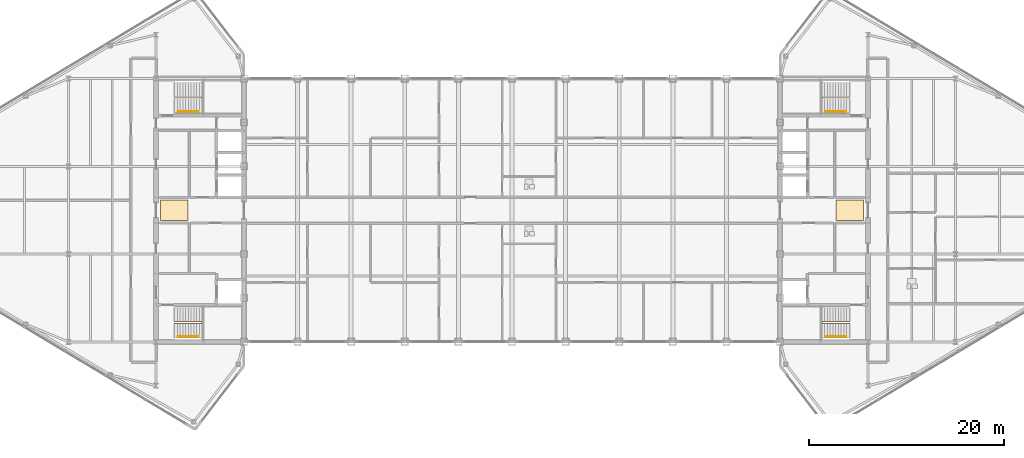
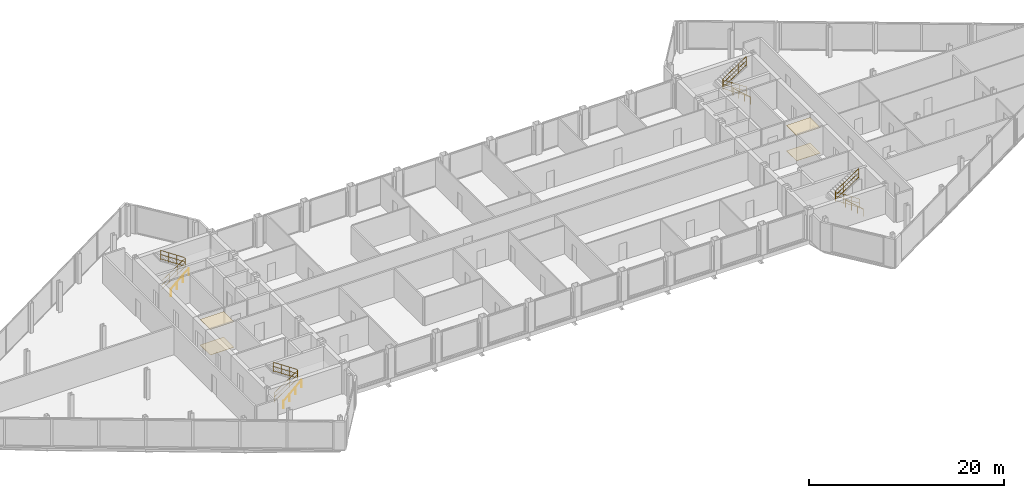
# One storey, part 27 of 28: 8 railings, 4 coverings.
"""IFC4 building model written with IfcOpenShell, lengths in metres."""

from ifc_helpers import new_model, si_unit, direction, frame, origin, origin_2d, place, context, subcontext, project, spatial, polyline, circle, outline, extrude, material, layer, layer_set, type_object, element, save


model = new_model("IFC4")

# Units and contexts
model_context = context("Model", 3, precision=1e-05, world=origin(), true_north=direction((0.0, 1.0)))
body_context = subcontext(model_context, "Body", "Model", "MODEL_VIEW")
ifc_project = project(units=[si_unit("LENGTHUNIT", "METRE"), si_unit("AREAUNIT", "SQUARE_METRE"), si_unit("VOLUMEUNIT", "CUBIC_METRE"), si_unit("PLANEANGLEUNIT", "RADIAN"), si_unit("MASSUNIT", "GRAM", prefix="KILO")], contexts=[model_context])

# Site, building, storey
site_placement = place(None, origin())
site = spatial("IfcSite", under=ifc_project, at=site_placement, CompositionType="ELEMENT")
building_placement = place(site_placement, origin())
building = spatial("IfcBuilding", under=site, at=building_placement, Name="Seokmaru Belvedere", CompositionType="ELEMENT")
storey_placement = place(building_placement, frame((0.0, 0.0, 261.89990234375)))
storey = spatial("IfcBuildingStorey", under=building, at=storey_placement, Name="L69", CompositionType="ELEMENT", Elevation=261.89990234375)

# Coverings
ifc_material_1 = material(Name="Engineered White Oak Timber", Category="wood")
ifc_layer_1 = layer(ifc_material_1, 0.02197265625)
ifc_layer_set_1 = layer_set([ifc_layer_1], Name="Engineered White Oak Timber")
covering_type_1 = type_object("IfcCoveringType", Name="Engineered Oak Residence Floor Finish 22", PredefinedType="FLOORING", material=ifc_layer_set_1)
covering_1_placement = place(storey_placement, origin())
element("IfcCovering", 1, at=covering_1_placement, inside=storey, type_object=covering_type_1, Name="L69 W Foyer Floor Finish", PredefinedType="FLOORING", context=body_context, shape_type="SweptSolid", body=[
    extrude(outline(polyline([(-36.050048828125, -1.050048828125), (-33.25, -1.050048828125), (-33.25, 1.050048828125), (-36.050048828125, 1.050048828125), (-36.050048828125, -1.050048828125)])), origin(), (0.0, 0.0, 1.0), 0.022216796875),
])
covering_2_placement = place(storey_placement, origin())
element("IfcCovering", 2, at=covering_2_placement, inside=storey, type_object=covering_type_1, Name="L69 E Foyer Floor Finish", PredefinedType="FLOORING", context=body_context, shape_type="SweptSolid", body=[
    extrude(outline(polyline([(33.25, -1.050048828125), (36.050048828125, -1.050048828125), (36.050048828125, 1.050048828125), (33.25, 1.050048828125), (33.25, -1.050048828125)])), origin(), (0.0, 0.0, 1.0), 0.022216796875),
])
ifc_material_2 = material(Name="Fire-Rated Gypsum Shaftwall")
ifc_layer_2 = layer(ifc_material_2, 0.02490234375)
ifc_layer_set_2 = layer_set([ifc_layer_2], Name="Fire-Rated Gypsum Shaftwall")
covering_type_2 = type_object("IfcCoveringType", Name="Perforated Acoustic Gypsum Suspended Ceiling 25", PredefinedType="CEILING", material=ifc_layer_set_2)
covering_3_placement = place(storey_placement, frame((0.0, 0.0, 3.18017578125)))
element("IfcCovering", 3, at=covering_3_placement, inside=storey, type_object=covering_type_2, Name="L69 W Lift Foyer Acoustic Ceiling", PredefinedType="CEILING", context=body_context, shape_type="SweptSolid", body=[
    extrude(outline(polyline([(-36.050048828125, -1.050048828125), (-33.25, -1.050048828125), (-33.25, 1.050048828125), (-36.050048828125, 1.050048828125), (-36.050048828125, -1.050048828125)])), origin(), (0.0, 0.0, 1.0), 0.02490234375),
])
covering_4_placement = place(storey_placement, frame((0.0, 0.0, 3.18017578125)))
element("IfcCovering", 4, at=covering_4_placement, inside=storey, type_object=covering_type_2, Name="L69 E Lift Foyer Acoustic Ceiling", PredefinedType="CEILING", context=body_context, shape_type="SweptSolid", body=[
    extrude(outline(polyline([(33.25, -1.050048828125), (36.050048828125, -1.050048828125), (36.050048828125, 1.050048828125), (33.25, 1.050048828125), (33.25, -1.050048828125)])), origin(), (0.0, 0.0, 1.0), 0.02490234375),
])

# Railings
ifc_material_3 = material(Name="Stainless Steel 316", Category="steel")
railing_type_1 = type_object("IfcRailingType", Name="Stainless Steel Wall and Flight Handrail 900", PredefinedType="HANDRAIL", material=ifc_material_3)
for number, where, name in (
    (5, (-34.25, -12.949951171875, 0.0), "L69 Stair ST-W1 Wall Handrail"),
    (6, (-34.25, 10.110107421875, 0.0), "L69 Stair ST-W2 Wall Handrail"),
):
    element("IfcRailing", number, at=place(storey_placement, frame(where)), inside=storey, type_object=railing_type_1, Name=name, PredefinedType="HANDRAIL", context=body_context, shape_type="SweptSolid", body=[
        extrude(circle(Radius=0.02392578125, at=origin_2d()), frame((0.0, 0.0, 0.8759765625), z_axis=(0.74595304797, 0.0, 0.665998536202), x_axis=(0.0, 1.0, 0.0)), (0.0, 0.0, 1.0), 2.8154296875),
        extrude(circle(Radius=0.02099609375, at=origin_2d()), origin(), (0.0, 0.0, 1.0), 0.851806640625),
        extrude(circle(Radius=0.02099609375, at=origin_2d()), frame((0.699951171875, 0.0, 0.625)), (0.0, 0.0, 1.0), 0.851806640625),
        extrude(circle(Radius=0.02099609375, at=origin_2d()), frame((1.400146484375, 0.0, 1.25)), (0.0, 0.0, 1.0), 0.851806640625),
        extrude(circle(Radius=0.02099609375, at=origin_2d()), frame((2.10009765625, 0.0, 1.875)), (0.0, 0.0, 1.0), 0.851806640625),
    ])
for number, where, name in (
    (7, (34.25, -12.949951171875, 0.0), "L69 Stair ST-E1 Wall Handrail"),
    (8, (34.25, 10.110107421875, 0.0), "L69 Stair ST-E2 Wall Handrail"),
):
    element("IfcRailing", number, at=place(storey_placement, frame(where)), inside=storey, type_object=railing_type_1, Name=name, PredefinedType="HANDRAIL", context=body_context, shape_type="SweptSolid", body=[
        extrude(circle(Radius=0.02392578125, at=origin_2d()), frame((0.0, 0.0, 0.8759765625), z_axis=(-0.74595304797, 0.0, 0.665998536202), x_axis=(0.0, -1.0, 0.0)), (0.0, 0.0, 1.0), 2.8154296875),
        extrude(circle(Radius=0.02099609375, at=origin_2d()), origin(), (0.0, 0.0, 1.0), 0.851806640625),
        extrude(circle(Radius=0.02099609375, at=origin_2d()), frame((-0.699951171875, 0.0, 0.625)), (0.0, 0.0, 1.0), 0.851806640625),
        extrude(circle(Radius=0.02099609375, at=origin_2d()), frame((-1.400146484375, 0.0, 1.25)), (0.0, 0.0, 1.0), 0.851806640625),
        extrude(circle(Radius=0.02099609375, at=origin_2d()), frame((-2.10009765625, 0.0, 1.875)), (0.0, 0.0, 1.0), 0.851806640625),
    ])
railing_type_2 = type_object("IfcRailingType", Name="Stair Well and Atrium Steel Guardrail 1200", PredefinedType="GUARDRAIL", material=ifc_material_3)
railing_1_placement = place(storey_placement, frame((-34.60009765625, -11.60009765625, 0.0)))
element("IfcRailing", 9, at=railing_1_placement, inside=storey, type_object=railing_type_2, Name="L69 Stair ST-W1 Inner Well Guardrail", PredefinedType="GUARDRAIL", context=body_context, shape_type="SweptSolid", body=[
    extrude(circle(Radius=0.02392578125, at=origin_2d()), frame((0.0, 0.0, 1.17578125), z_axis=(0.830911662861, 0.0, 0.55640435703), x_axis=(0.0, 1.0, 0.0)), (0.0, 0.0, 1.0), 3.369873046875),
    extrude(circle(Radius=0.02392578125, at=origin_2d()), frame((0.0, 0.0, 0.1201171875), z_axis=(0.830911662861, 0.0, 0.55640435703), x_axis=(0.0, 1.0, 0.0)), (0.0, 0.0, 1.0), 3.369873046875),
    extrude(circle(Radius=0.02392578125, at=origin_2d()), frame((0.0, 0.0, 0.659912109375), z_axis=(0.830911662861, 0.0, 0.55640435703), x_axis=(0.0, 1.0, 0.0)), (0.0, 0.0, 1.0), 3.369873046875),
    extrude(circle(Radius=0.02392578125, at=origin_2d()), frame((2.800048828125, 0.0, 3.05078125), z_axis=(0.0, 1.0, 0.0), x_axis=(-1.0, 0.0, 0.0)), (0.0, 0.0, 1.0), 0.14013671875),
    extrude(circle(Radius=0.02392578125, at=origin_2d()), frame((2.800048828125, 0.0, 1.9951171875), z_axis=(0.0, 1.0, 0.0), x_axis=(-1.0, 0.0, 0.0)), (0.0, 0.0, 1.0), 0.14013671875),
    extrude(circle(Radius=0.02392578125, at=origin_2d()), frame((2.800048828125, 0.0, 2.534912109375), z_axis=(0.0, 1.0, 0.0), x_axis=(-1.0, 0.0, 0.0)), (0.0, 0.0, 1.0), 0.14013671875),
    extrude(circle(Radius=0.02392578125, at=origin_2d()), frame((2.800048828125, 0.14013671875, 3.05078125), z_axis=(-0.830911662861, 0.0, 0.55640435703), x_axis=(0.0, -1.0, 0.0)), (0.0, 0.0, 1.0), 3.369873046875),
    extrude(circle(Radius=0.02392578125, at=origin_2d()), frame((2.800048828125, 0.14013671875, 1.9951171875), z_axis=(-0.830911662861, 0.0, 0.55640435703), x_axis=(0.0, -1.0, 0.0)), (0.0, 0.0, 1.0), 3.369873046875),
    extrude(circle(Radius=0.02392578125, at=origin_2d()), frame((2.800048828125, 0.14013671875, 2.534912109375), z_axis=(-0.830911662861, 0.0, 0.55640435703), x_axis=(0.0, -1.0, 0.0)), (0.0, 0.0, 1.0), 3.369873046875),
    extrude(circle(Radius=0.02099609375, at=origin_2d()), origin(), (0.0, 0.0, 1.0), 1.15185546875),
    extrude(circle(Radius=0.02099609375, at=origin_2d()), frame((0.933349609375, 0.0, 0.625)), (0.0, 0.0, 1.0), 1.15185546875),
    extrude(circle(Radius=0.02099609375, at=origin_2d()), frame((1.86669921875, 0.0, 1.25)), (0.0, 0.0, 1.0), 1.15185546875),
    extrude(circle(Radius=0.02099609375, at=origin_2d()), frame((2.800048828125, 0.0, 1.875)), (0.0, 0.0, 1.0), 1.15185546875),
    extrude(circle(Radius=0.02099609375, at=origin_2d()), frame((2.800048828125, 0.14013671875, 1.875)), (0.0, 0.0, 1.0), 1.15185546875),
    extrude(circle(Radius=0.02099609375, at=origin_2d()), frame((1.86669921875, 0.14013671875, 2.5)), (0.0, 0.0, 1.0), 1.15185546875),
    extrude(circle(Radius=0.02099609375, at=origin_2d()), frame((0.933349609375, 0.14013671875, 3.125)), (0.0, 0.0, 1.0), 1.15185546875),
    extrude(circle(Radius=0.02099609375, at=origin_2d()), frame((0.0, 0.14013671875, 3.75)), (0.0, 0.0, 1.0), 1.15185546875),
])
railing_2_placement = place(storey_placement, frame((-34.60009765625, 11.4599609375, 0.0)))
element("IfcRailing", 10, at=railing_2_placement, inside=storey, type_object=railing_type_2, Name="L69 Stair ST-W2 Inner Well Guardrail", PredefinedType="GUARDRAIL", context=body_context, shape_type="SweptSolid", body=[
    extrude(circle(Radius=0.02392578125, at=origin_2d()), frame((0.0, 0.0, 1.17578125), z_axis=(0.830911662861, 0.0, 0.55640435703), x_axis=(0.0, 1.0, 0.0)), (0.0, 0.0, 1.0), 3.369873046875),
    extrude(circle(Radius=0.02392578125, at=origin_2d()), frame((0.0, 0.0, 0.1201171875), z_axis=(0.830911662861, 0.0, 0.55640435703), x_axis=(0.0, 1.0, 0.0)), (0.0, 0.0, 1.0), 3.369873046875),
    extrude(circle(Radius=0.02392578125, at=origin_2d()), frame((0.0, 0.0, 0.659912109375), z_axis=(0.830911662861, 0.0, 0.55640435703), x_axis=(0.0, 1.0, 0.0)), (0.0, 0.0, 1.0), 3.369873046875),
    extrude(circle(Radius=0.02392578125, at=origin_2d()), frame((2.800048828125, 0.0, 3.05078125), z_axis=(0.0, 1.0, 0.0), x_axis=(-1.0, 0.0, 0.0)), (0.0, 0.0, 1.0), 0.14013671875),
    extrude(circle(Radius=0.02392578125, at=origin_2d()), frame((2.800048828125, 0.0, 1.9951171875), z_axis=(0.0, 1.0, 0.0), x_axis=(-1.0, 0.0, 0.0)), (0.0, 0.0, 1.0), 0.14013671875),
    extrude(circle(Radius=0.02392578125, at=origin_2d()), frame((2.800048828125, 0.0, 2.534912109375), z_axis=(0.0, 1.0, 0.0), x_axis=(-1.0, 0.0, 0.0)), (0.0, 0.0, 1.0), 0.14013671875),
    extrude(circle(Radius=0.02392578125, at=origin_2d()), frame((2.800048828125, 0.14013671875, 3.05078125), z_axis=(-0.830911662861, 0.0, 0.55640435703), x_axis=(0.0, -1.0, 0.0)), (0.0, 0.0, 1.0), 3.369873046875),
    extrude(circle(Radius=0.02392578125, at=origin_2d()), frame((2.800048828125, 0.14013671875, 1.9951171875), z_axis=(-0.830911662861, 0.0, 0.55640435703), x_axis=(0.0, -1.0, 0.0)), (0.0, 0.0, 1.0), 3.369873046875),
    extrude(circle(Radius=0.02392578125, at=origin_2d()), frame((2.800048828125, 0.14013671875, 2.534912109375), z_axis=(-0.830911662861, 0.0, 0.55640435703), x_axis=(0.0, -1.0, 0.0)), (0.0, 0.0, 1.0), 3.369873046875),
    extrude(circle(Radius=0.02099609375, at=origin_2d()), origin(), (0.0, 0.0, 1.0), 1.15185546875),
    extrude(circle(Radius=0.02099609375, at=origin_2d()), frame((0.933349609375, 0.0, 0.625)), (0.0, 0.0, 1.0), 1.15185546875),
    extrude(circle(Radius=0.02099609375, at=origin_2d()), frame((1.86669921875, 0.0, 1.25)), (0.0, 0.0, 1.0), 1.15185546875),
    extrude(circle(Radius=0.02099609375, at=origin_2d()), frame((2.800048828125, 0.0, 1.875)), (0.0, 0.0, 1.0), 1.15185546875),
    extrude(circle(Radius=0.02099609375, at=origin_2d()), frame((2.800048828125, 0.14013671875, 1.875)), (0.0, 0.0, 1.0), 1.15185546875),
    extrude(circle(Radius=0.02099609375, at=origin_2d()), frame((1.86669921875, 0.14013671875, 2.5)), (0.0, 0.0, 1.0), 1.15185546875),
    extrude(circle(Radius=0.02099609375, at=origin_2d()), frame((0.933349609375, 0.14013671875, 3.125)), (0.0, 0.0, 1.0), 1.15185546875),
    extrude(circle(Radius=0.02099609375, at=origin_2d()), frame((0.0, 0.14013671875, 3.75)), (0.0, 0.0, 1.0), 1.15185546875),
])
railing_3_placement = place(storey_placement, frame((34.60009765625, -11.60009765625, 0.0)))
element("IfcRailing", 11, at=railing_3_placement, inside=storey, type_object=railing_type_2, Name="L69 Stair ST-E1 Inner Well Guardrail", PredefinedType="GUARDRAIL", context=body_context, shape_type="SweptSolid", body=[
    extrude(circle(Radius=0.02392578125, at=origin_2d()), frame((0.0, 0.0, 1.17578125), z_axis=(-0.830911662861, 0.0, 0.55640435703), x_axis=(0.0, -1.0, 0.0)), (0.0, 0.0, 1.0), 3.369873046875),
    extrude(circle(Radius=0.02392578125, at=origin_2d()), frame((0.0, 0.0, 0.1201171875), z_axis=(-0.830911662861, 0.0, 0.55640435703), x_axis=(0.0, -1.0, 0.0)), (0.0, 0.0, 1.0), 3.369873046875),
    extrude(circle(Radius=0.02392578125, at=origin_2d()), frame((0.0, 0.0, 0.659912109375), z_axis=(-0.830911662861, 0.0, 0.55640435703), x_axis=(0.0, -1.0, 0.0)), (0.0, 0.0, 1.0), 3.369873046875),
    extrude(circle(Radius=0.02392578125, at=origin_2d()), frame((-2.800048828125, 0.0, 3.05078125), z_axis=(0.0, 1.0, 0.0), x_axis=(-1.0, 0.0, 0.0)), (0.0, 0.0, 1.0), 0.14013671875),
    extrude(circle(Radius=0.02392578125, at=origin_2d()), frame((-2.800048828125, 0.0, 1.9951171875), z_axis=(0.0, 1.0, 0.0), x_axis=(-1.0, 0.0, 0.0)), (0.0, 0.0, 1.0), 0.14013671875),
    extrude(circle(Radius=0.02392578125, at=origin_2d()), frame((-2.800048828125, 0.0, 2.534912109375), z_axis=(0.0, 1.0, 0.0), x_axis=(-1.0, 0.0, 0.0)), (0.0, 0.0, 1.0), 0.14013671875),
    extrude(circle(Radius=0.02392578125, at=origin_2d()), frame((-2.800048828125, 0.14013671875, 3.05078125), z_axis=(0.830911662861, 0.0, 0.55640435703), x_axis=(0.0, 1.0, 0.0)), (0.0, 0.0, 1.0), 3.369873046875),
    extrude(circle(Radius=0.02392578125, at=origin_2d()), frame((-2.800048828125, 0.14013671875, 1.9951171875), z_axis=(0.830911662861, 0.0, 0.55640435703), x_axis=(0.0, 1.0, 0.0)), (0.0, 0.0, 1.0), 3.369873046875),
    extrude(circle(Radius=0.02392578125, at=origin_2d()), frame((-2.800048828125, 0.14013671875, 2.534912109375), z_axis=(0.830911662861, 0.0, 0.55640435703), x_axis=(0.0, 1.0, 0.0)), (0.0, 0.0, 1.0), 3.369873046875),
    extrude(circle(Radius=0.02099609375, at=origin_2d()), origin(), (0.0, 0.0, 1.0), 1.15185546875),
    extrude(circle(Radius=0.02099609375, at=origin_2d()), frame((-0.933349609375, 0.0, 0.625)), (0.0, 0.0, 1.0), 1.15185546875),
    extrude(circle(Radius=0.02099609375, at=origin_2d()), frame((-1.86669921875, 0.0, 1.25)), (0.0, 0.0, 1.0), 1.15185546875),
    extrude(circle(Radius=0.02099609375, at=origin_2d()), frame((-2.800048828125, 0.0, 1.875)), (0.0, 0.0, 1.0), 1.15185546875),
    extrude(circle(Radius=0.02099609375, at=origin_2d()), frame((-2.800048828125, 0.14013671875, 1.875)), (0.0, 0.0, 1.0), 1.15185546875),
    extrude(circle(Radius=0.02099609375, at=origin_2d()), frame((-1.86669921875, 0.14013671875, 2.5)), (0.0, 0.0, 1.0), 1.15185546875),
    extrude(circle(Radius=0.02099609375, at=origin_2d()), frame((-0.933349609375, 0.14013671875, 3.125)), (0.0, 0.0, 1.0), 1.15185546875),
    extrude(circle(Radius=0.02099609375, at=origin_2d()), frame((0.0, 0.14013671875, 3.75)), (0.0, 0.0, 1.0), 1.15185546875),
])
railing_4_placement = place(storey_placement, frame((34.60009765625, 11.4599609375, 0.0)))
element("IfcRailing", 12, at=railing_4_placement, inside=storey, type_object=railing_type_2, Name="L69 Stair ST-E2 Inner Well Guardrail", PredefinedType="GUARDRAIL", context=body_context, shape_type="SweptSolid", body=[
    extrude(circle(Radius=0.02392578125, at=origin_2d()), frame((0.0, 0.0, 1.17578125), z_axis=(-0.830911662861, 0.0, 0.55640435703), x_axis=(0.0, -1.0, 0.0)), (0.0, 0.0, 1.0), 3.369873046875),
    extrude(circle(Radius=0.02392578125, at=origin_2d()), frame((0.0, 0.0, 0.1201171875), z_axis=(-0.830911662861, 0.0, 0.55640435703), x_axis=(0.0, -1.0, 0.0)), (0.0, 0.0, 1.0), 3.369873046875),
    extrude(circle(Radius=0.02392578125, at=origin_2d()), frame((0.0, 0.0, 0.659912109375), z_axis=(-0.830911662861, 0.0, 0.55640435703), x_axis=(0.0, -1.0, 0.0)), (0.0, 0.0, 1.0), 3.369873046875),
    extrude(circle(Radius=0.02392578125, at=origin_2d()), frame((-2.800048828125, 0.0, 3.05078125), z_axis=(0.0, 1.0, 0.0), x_axis=(-1.0, 0.0, 0.0)), (0.0, 0.0, 1.0), 0.14013671875),
    extrude(circle(Radius=0.02392578125, at=origin_2d()), frame((-2.800048828125, 0.0, 1.9951171875), z_axis=(0.0, 1.0, 0.0), x_axis=(-1.0, 0.0, 0.0)), (0.0, 0.0, 1.0), 0.14013671875),
    extrude(circle(Radius=0.02392578125, at=origin_2d()), frame((-2.800048828125, 0.0, 2.534912109375), z_axis=(0.0, 1.0, 0.0), x_axis=(-1.0, 0.0, 0.0)), (0.0, 0.0, 1.0), 0.14013671875),
    extrude(circle(Radius=0.02392578125, at=origin_2d()), frame((-2.800048828125, 0.14013671875, 3.05078125), z_axis=(0.830911662861, 0.0, 0.55640435703), x_axis=(0.0, 1.0, 0.0)), (0.0, 0.0, 1.0), 3.369873046875),
    extrude(circle(Radius=0.02392578125, at=origin_2d()), frame((-2.800048828125, 0.14013671875, 1.9951171875), z_axis=(0.830911662861, 0.0, 0.55640435703), x_axis=(0.0, 1.0, 0.0)), (0.0, 0.0, 1.0), 3.369873046875),
    extrude(circle(Radius=0.02392578125, at=origin_2d()), frame((-2.800048828125, 0.14013671875, 2.534912109375), z_axis=(0.830911662861, 0.0, 0.55640435703), x_axis=(0.0, 1.0, 0.0)), (0.0, 0.0, 1.0), 3.369873046875),
    extrude(circle(Radius=0.02099609375, at=origin_2d()), origin(), (0.0, 0.0, 1.0), 1.15185546875),
    extrude(circle(Radius=0.02099609375, at=origin_2d()), frame((-0.933349609375, 0.0, 0.625)), (0.0, 0.0, 1.0), 1.15185546875),
    extrude(circle(Radius=0.02099609375, at=origin_2d()), frame((-1.86669921875, 0.0, 1.25)), (0.0, 0.0, 1.0), 1.15185546875),
    extrude(circle(Radius=0.02099609375, at=origin_2d()), frame((-2.800048828125, 0.0, 1.875)), (0.0, 0.0, 1.0), 1.15185546875),
    extrude(circle(Radius=0.02099609375, at=origin_2d()), frame((-2.800048828125, 0.14013671875, 1.875)), (0.0, 0.0, 1.0), 1.15185546875),
    extrude(circle(Radius=0.02099609375, at=origin_2d()), frame((-1.86669921875, 0.14013671875, 2.5)), (0.0, 0.0, 1.0), 1.15185546875),
    extrude(circle(Radius=0.02099609375, at=origin_2d()), frame((-0.933349609375, 0.14013671875, 3.125)), (0.0, 0.0, 1.0), 1.15185546875),
    extrude(circle(Radius=0.02099609375, at=origin_2d()), frame((0.0, 0.14013671875, 3.75)), (0.0, 0.0, 1.0), 1.15185546875),
])

save(model, "model.ifc")
